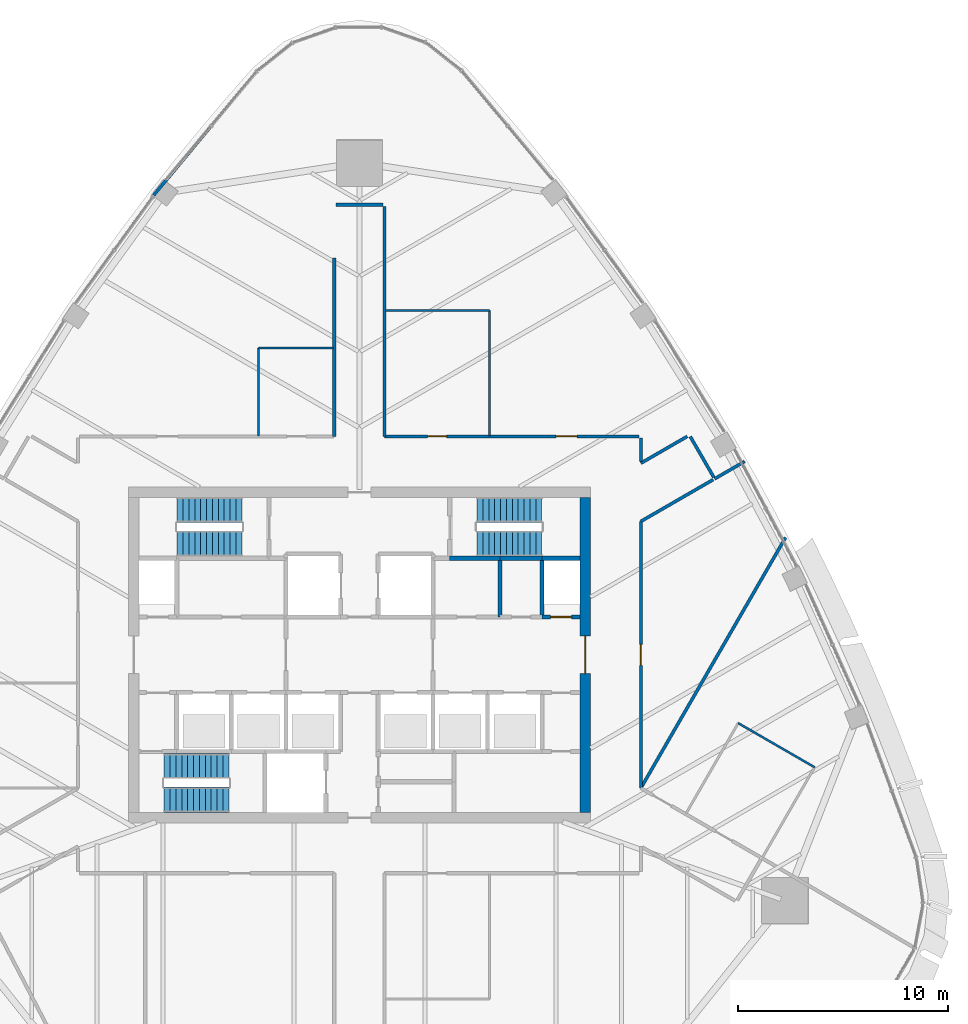
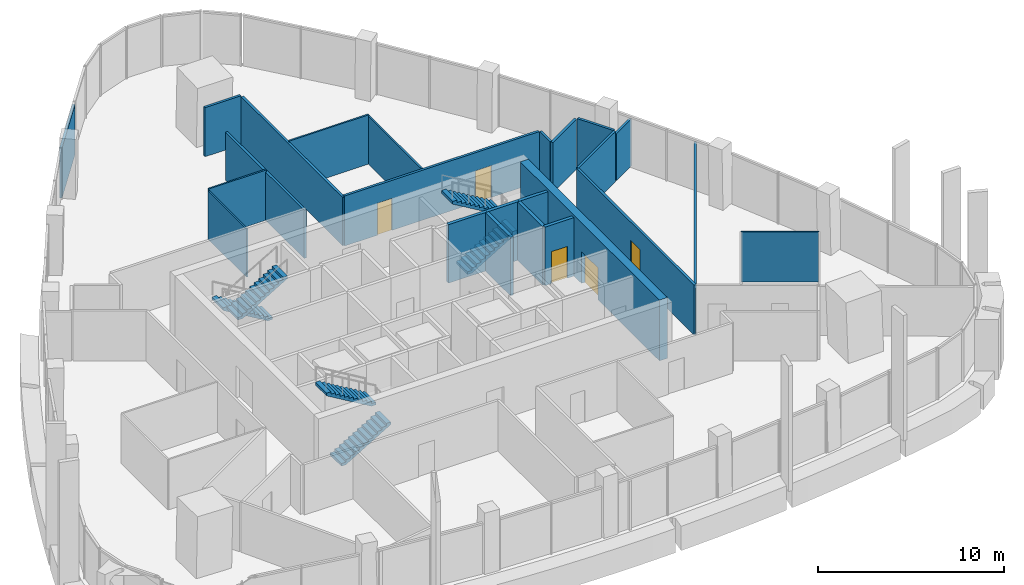
# One storey, part 11 of 16: 24 walls, 6 stair flights, 5 doors, 5 openings, 3 elements without a shape of their own.
"""IFC4 building model written with IfcOpenShell, lengths in metres."""

from ifc_helpers import new_model, si_unit, direction, frame, frame_2d, origin, place, context, subcontext, project, spatial, polyline, rectangle, outline, extrude, material, layer, layer_set, type_object, element, fill, aggregate, save


model = new_model("IFC4")

# Units and contexts
model_context = context("Model", 3, precision=1e-05, world=origin(), true_north=direction((0.0, 1.0)))
body_context = subcontext(model_context, "Body", "Model", "MODEL_VIEW")
ifc_project = project(units=[si_unit("LENGTHUNIT", "METRE"), si_unit("AREAUNIT", "SQUARE_METRE"), si_unit("VOLUMEUNIT", "CUBIC_METRE"), si_unit("PLANEANGLEUNIT", "RADIAN"), si_unit("MASSUNIT", "GRAM", prefix="KILO")], contexts=[model_context])

# Site, building, storey
site_placement = place(None, origin())
site = spatial("IfcSite", under=ifc_project, at=site_placement, CompositionType="ELEMENT")
building_placement = place(site_placement, origin())
building = spatial("IfcBuilding", under=site, at=building_placement, Name="Sierra Prisma Convention Tower", CompositionType="ELEMENT")
storey_placement = place(building_placement, frame((0.0, 0.0, 303.0)))
storey = spatial("IfcBuildingStorey", under=building, at=storey_placement, Name="L69", CompositionType="ELEMENT", Elevation=303.0)

# Walls
ifc_material_1 = material(Name="Gypsum board partition", Category="gypsum")
ifc_layer_1 = layer(ifc_material_1, 0.10009765625)
ifc_layer_set_1 = layer_set([ifc_layer_1], Name="Bathroom partition 100")
wall_type_1 = type_object("IfcWallType", Name="Bathroom partition 100", PredefinedType="PARTITIONING", material=ifc_layer_set_1)
wall_1_placement = place(storey_placement, frame((-4.800048828125, 10.429931640625, 0.0), z_axis=(0.0, 0.0, 1.0), x_axis=(0.0, 1.0, 0.0)))
element("IfcWall", 1, at=wall_1_placement, inside=storey, type_object=wall_type_1, Name="Partition L69 bath 4", PredefinedType="PARTITIONING", context=body_context, shape_type="SweptSolid", body=[
    extrude(rectangle(XDim=4.170166015625, YDim=0.10009765625, at=frame_2d((2.0849609375, 0.0))), origin(), (0.0, 0.0, 1.0), 3.1669921875),
])
wall_2_placement = place(storey_placement, frame((-4.800048828125, 14.60009765625, 0.0), z_axis=(0.0, 0.0, 1.0), x_axis=(1.0, 0.0, 0.0)))
element("IfcWall", 2, at=wall_2_placement, inside=storey, type_object=wall_type_1, Name="Partition L69 bath 5", PredefinedType="PARTITIONING", context=body_context, shape_type="SweptSolid", body=[
    extrude(rectangle(XDim=3.570068359375, YDim=0.10009765625, at=frame_2d((1.78515625, 0.0))), origin(), (0.0, 0.0, 1.0), 3.300048828125),
])
wall_3_placement = place(storey_placement, frame((1.22998046875, 16.39990234375, 0.0), z_axis=(0.0, 0.0, 1.0), x_axis=(1.0, 0.0, 0.0)))
element("IfcWall", 3, at=wall_3_placement, inside=storey, type_object=wall_type_1, Name="Partition L69 bath 8", PredefinedType="PARTITIONING", context=body_context, shape_type="SweptSolid", body=[
    extrude(rectangle(XDim=4.969970703125, YDim=0.10009765625, at=frame_2d((2.48486328125, 0.0))), origin(), (0.0, 0.0, 1.0), 3.242919921875),
])
wall_4_placement = place(storey_placement, frame((6.199951171875, 16.39990234375, 0.0), z_axis=(0.0, 0.0, 1.0), x_axis=(0.0, -1.0, 0.0)))
element("IfcWall", 4, at=wall_4_placement, inside=storey, type_object=wall_type_1, Name="Partition L69 bath 9", PredefinedType="PARTITIONING", context=body_context, shape_type="SweptSolid", body=[
    extrude(rectangle(XDim=5.969970703125, YDim=0.10009765625, at=frame_2d((2.98486328125, 0.0))), origin(), (0.0, 0.0, 1.0), 3.1669921875),
])
wall_5_placement = place(storey_placement, frame((18.037109375, -3.254638671875, 0.0), z_axis=(0.0, 0.0, 1.0), x_axis=(0.866034573852, -0.49998411664, 0.0)))
element("IfcWall", 5, at=wall_5_placement, inside=storey, type_object=wall_type_1, Name="Partition L69 bath 11", PredefinedType="PARTITIONING", context=body_context, shape_type="SweptSolid", body=[
    extrude(rectangle(XDim=4.199951171875, YDim=0.10009765625, at=frame_2d((2.10009765625, 0.0))), origin(), (0.0, 0.0, 1.0), 3.300048828125),
])
ifc_material_2 = material(Name="Concrete C30/37", Category="concrete")
ifc_layer_2 = layer(ifc_material_2, 0.199951171875)
ifc_layer_set_2 = layer_set([ifc_layer_2], Name="Core wall RC 200 C30/37")
wall_type_2 = type_object("IfcWallType", Name="Core wall RC 200 C30/37", PredefinedType="SOLIDWALL", material=ifc_layer_set_2)
wall_6_placement = place(storey_placement, frame((6.699951171875, 4.60009765625, 0.0), z_axis=(0.0, 0.0, 1.0), x_axis=(-1.0, 0.0, 0.0)))
element("IfcWall", 6, at=wall_6_placement, inside=storey, type_object=wall_type_2, Name="Core wall L69 49", PredefinedType="SOLIDWALL", context=body_context, shape_type="SweptSolid", body=[
    extrude(rectangle(XDim=2.39990234375, YDim=0.199951171875, at=frame_2d((1.199951171875, 0.0))), origin(), (0.0, 0.0, 1.0), 3.85009765625),
])
wall_7_placement = place(storey_placement, frame((6.699951171875, 1.800048828125, 0.0), z_axis=(0.0, 0.0, 1.0), x_axis=(0.0, 1.0, 0.0)))
element("IfcWall", 7, at=wall_7_placement, inside=storey, type_object=wall_type_2, Name="Core wall L69 58", PredefinedType="SOLIDWALL", context=body_context, shape_type="SweptSolid", body=[
    extrude(rectangle(XDim=2.800048828125, YDim=0.199951171875, at=frame_2d((1.39990234375, 0.0))), origin(), (0.0, 0.0, 1.0), 3.85009765625),
])
wall_8_placement = place(storey_placement, frame((8.699951171875, 4.60009765625, 0.0), z_axis=(0.0, 0.0, 1.0), x_axis=(-1.0, 0.0, 0.0)))
element("IfcWall", 8, at=wall_8_placement, inside=storey, type_object=wall_type_2, Name="Core wall L69 59", PredefinedType="SOLIDWALL", context=body_context, shape_type="SweptSolid", body=[
    extrude(rectangle(XDim=2.0, YDim=0.199951171875, at=frame_2d((1.0, 0.0))), origin(), (0.0, 0.0, 1.0), 3.85009765625),
])

# Wall, opening, door
wall_9_placement = place(storey_placement, frame((10.5, 1.800048828125, 0.0), z_axis=(0.0, 0.0, 1.0), x_axis=(-1.0, 0.0, 0.0)))
wall_9 = element("IfcWall", 9, at=wall_9_placement, inside=storey, type_object=wall_type_2, Name="Core wall L69 63", PredefinedType="SOLIDWALL", context=body_context, shape_type="SweptSolid", body=[
    extrude(rectangle(XDim=1.800048828125, YDim=0.199951171875, at=frame_2d((0.89990234375, 0.0))), origin(), (0.0, 0.0, 1.0), 3.85009765625),
])
opening_1_placement = place(wall_9_placement, frame((0.39990234375, 0.0, 0.0)))
opening_1 = element("IfcOpeningElement", 10, at=opening_1_placement, cuts=wall_9, Name="Opening L69-D016", PredefinedType="OPENING", context=body_context, shape_type="SweptSolid", body=[
    extrude(rectangle(XDim=1.0, YDim=2.10009765625, at=frame_2d((0.5, 1.050048828125))), frame((0.0, 0.10009765625, 0.0), z_axis=(0.0, -1.0, 0.0), x_axis=(1.0, 0.0, 0.0)), (0.0, 0.0, 1.0), 0.199951171875),
])
ifc_material_3 = material(Name="Steel fire door leaf", Category="steel")
door_type_1 = type_object("IfcDoorType", Name="Door 1000x2100 FD60S", OperationType="SINGLE_SWING_LEFT", PredefinedType="DOOR", material=ifc_material_3)
door_1_placement = place(opening_1_placement, origin())
door_1 = element("IfcDoor", 11, at=door_1_placement, inside=storey, type_object=door_type_1, Name="Door L69 29", OperationType="SINGLE_SWING_LEFT", OverallHeight=2.10009765625, OverallWidth=1.0, PredefinedType="DOOR", context=body_context, shape_type="SweptSolid", body=[
    extrude(rectangle(XDim=1.0, YDim=2.10009765625, at=frame_2d((0.5, 1.050048828125))), frame((0.0, 0.02490234375, 0.0), z_axis=(0.0, -1.0, 0.0), x_axis=(1.0, 0.0, 0.0)), (0.0, 0.0, 1.0), 0.050048828125),
])
fill(opening_1, door_1)

# Walls
wall_10_placement = place(storey_placement, frame((8.699951171875, 1.800048828125, 0.0), z_axis=(0.0, 0.0, 1.0), x_axis=(0.0, 1.0, 0.0)))
element("IfcWall", 12, at=wall_10_placement, inside=storey, type_object=wall_type_2, Name="Core wall L69 64", PredefinedType="SOLIDWALL", context=body_context, shape_type="SweptSolid", body=[
    extrude(rectangle(XDim=2.800048828125, YDim=0.199951171875, at=frame_2d((1.39990234375, 0.0))), origin(), (0.0, 0.0, 1.0), 3.85009765625),
])
wall_11_placement = place(storey_placement, frame((10.5, 4.60009765625, 0.0), z_axis=(0.0, 0.0, 1.0), x_axis=(-1.0, 0.0, 0.0)))
element("IfcWall", 13, at=wall_11_placement, inside=storey, type_object=wall_type_2, Name="Core wall L69 65", PredefinedType="SOLIDWALL", context=body_context, shape_type="SweptSolid", body=[
    extrude(rectangle(XDim=1.800048828125, YDim=0.199951171875, at=frame_2d((0.89990234375, 0.0))), origin(), (0.0, 0.0, 1.0), 3.85009765625),
])

# Wall, opening, door
ifc_material_4 = material(Name="Concrete C50/60", Category="concrete")
ifc_layer_3 = layer(ifc_material_4, 0.5)
ifc_layer_set_3 = layer_set([ifc_layer_3], Name="Core wall RC 500 C50/60")
wall_type_3 = type_object("IfcWallType", Name="Core wall RC 500 C50/60", PredefinedType="SHEAR", material=ifc_layer_set_3)
wall_12_placement = place(storey_placement, frame((10.75, -7.5, 0.0), z_axis=(0.0, 0.0, 1.0), x_axis=(0.0, 1.0, 0.0)))
wall_12 = element("IfcWall", 14, at=wall_12_placement, inside=storey, type_object=wall_type_3, Name="Core wall E L69", PredefinedType="SHEAR", context=body_context, shape_type="SweptSolid", body=[
    extrude(rectangle(XDim=15.0, YDim=0.5, at=frame_2d((7.5, 0.0))), origin(), (0.0, 0.0, 1.0), 4.0),
])
opening_2_placement = place(wall_12_placement, frame((6.60009765625, 0.0, 0.0)))
opening_2 = element("IfcOpeningElement", 15, at=opening_2_placement, cuts=wall_12, Name="Opening L69-D040", PredefinedType="OPENING", context=body_context, shape_type="SweptSolid", body=[
    extrude(rectangle(XDim=1.800048828125, YDim=2.10009765625, at=frame_2d((0.89990234375, 1.050048828125))), frame((0.0, 0.25, 0.0), z_axis=(0.0, -1.0, 0.0), x_axis=(1.0, 0.0, 0.0)), (0.0, 0.0, 1.0), 0.5),
])
ifc_material_5 = material(Name="Steel fire door leaf", Category="steel")
door_type_2 = type_object("IfcDoorType", Name="Door 1800x2100 FD60S", OperationType="DOUBLE_DOOR_SINGLE_SWING", PredefinedType="DOOR", material=ifc_material_5)
door_2_placement = place(opening_2_placement, origin())
door_2 = element("IfcDoor", 16, at=door_2_placement, inside=storey, type_object=door_type_2, Name="Door L69 41", OperationType="DOUBLE_DOOR_SINGLE_SWING", OverallHeight=2.10009765625, OverallWidth=1.800048828125, PredefinedType="DOOR", context=body_context, shape_type="SweptSolid", body=[
    extrude(rectangle(XDim=1.800048828125, YDim=2.10009765625, at=frame_2d((0.89990234375, 1.050048828125))), frame((0.0, 0.02490234375, 0.0), z_axis=(0.0, -1.0, 0.0), x_axis=(1.0, 0.0, 0.0)), (0.0, 0.0, 1.0), 0.050048828125),
])
fill(opening_2, door_2)

# Walls
ifc_material_6 = material(Name="Gypsum board partition", Category="gypsum")
ifc_layer_4 = layer(ifc_material_6, 0.14990234375)
ifc_layer_set_4 = layer_set([ifc_layer_4], Name="Corridor wall 150 gypsum EI 60")
wall_type_4 = type_object("IfcWallType", Name="Corridor wall 150 gypsum EI 60", PredefinedType="PARTITIONING", material=ifc_layer_set_4)
wall_13_placement = place(storey_placement, frame((-1.199951171875, 18.89990234375, 0.0), z_axis=(0.0, 0.0, 1.0), x_axis=(0.0, -1.0, 0.0)))
element("IfcWall", 17, at=wall_13_placement, inside=storey, type_object=wall_type_4, Name="Partition L69 corr 12", PredefinedType="PARTITIONING", context=body_context, shape_type="SweptSolid", body=[
    extrude(rectangle(XDim=8.5, YDim=0.14990234375, at=frame_2d((4.25, 0.0))), origin(), (0.0, 0.0, 1.0), 3.1669921875),
])
wall_14_placement = place(storey_placement, frame((1.1201171875, 21.427978515625, 0.0), z_axis=(0.0, 0.0, 1.0), x_axis=(-1.0, 0.0, 0.0)))
element("IfcWall", 18, at=wall_14_placement, inside=storey, type_object=wall_type_4, Name="Partition L69 corr 15", PredefinedType="PARTITIONING", context=body_context, shape_type="SweptSolid", body=[
    extrude(rectangle(XDim=2.240234375, YDim=0.14990234375, at=frame_2d((1.1201171875, 0.0))), origin(), (0.0, 0.0, 1.0), 3.23291015625),
])

# Wall, openings, doors
wall_15_placement = place(storey_placement, frame((13.320068359375, 10.39990234375, 0.0), z_axis=(0.0, 0.0, 1.0), x_axis=(-1.0, 0.0, 0.0)))
wall_15 = element("IfcWall", 19, at=wall_15_placement, inside=storey, type_object=wall_type_4, Name="Partition L69 corr 18", PredefinedType="PARTITIONING", context=body_context, shape_type="SweptSolid", body=[
    extrude(rectangle(XDim=12.1201171875, YDim=0.14990234375, at=frame_2d((6.06005859375, 0.0))), origin(), (0.0, 0.0, 1.0), 3.29296875),
])
opening_3_placement = place(wall_15_placement, frame((9.169921875, 0.0, 0.0)))
opening_3 = element("IfcOpeningElement", 20, at=opening_3_placement, cuts=wall_15, Name="Opening L69-D028", PredefinedType="OPENING", context=body_context, shape_type="SweptSolid", body=[
    extrude(rectangle(XDim=0.89990234375, YDim=2.10009765625, at=frame_2d((0.449951171875, 1.050048828125))), frame((0.0, 0.074951171875, 0.0), z_axis=(0.0, -1.0, 0.0), x_axis=(1.0, 0.0, 0.0)), (0.0, 0.0, 1.0), 0.14990234375),
])
opening_4_placement = place(wall_15_placement, frame((2.969970703125, 0.0, 0.0)))
opening_4 = element("IfcOpeningElement", 21, at=opening_4_placement, cuts=wall_15, Name="Opening L69-D029", PredefinedType="OPENING", context=body_context, shape_type="SweptSolid", body=[
    extrude(rectangle(XDim=1.0, YDim=2.10009765625, at=frame_2d((0.5, 1.050048828125))), frame((0.0, 0.074951171875, 0.0), z_axis=(0.0, -1.0, 0.0), x_axis=(1.0, 0.0, 0.0)), (0.0, 0.0, 1.0), 0.14990234375),
])
ifc_material_7 = material(Name="Steel fire door leaf", Category="steel")
door_type_3 = type_object("IfcDoorType", Name="Door 1000x2100 FD30S", OperationType="SINGLE_SWING_LEFT", PredefinedType="DOOR", material=ifc_material_7)
door_3_placement = place(opening_4_placement, origin())
door_3 = element("IfcDoor", 22, at=door_3_placement, inside=storey, type_object=door_type_3, Name="Door L69 3", OperationType="SINGLE_SWING_RIGHT", OverallHeight=2.10009765625, OverallWidth=1.0, PredefinedType="DOOR", context=body_context, shape_type="SweptSolid", body=[
    extrude(rectangle(XDim=1.0, YDim=2.10009765625, at=frame_2d((0.5, 1.050048828125))), frame((0.0, 0.02490234375, 0.0), z_axis=(0.0, -1.0, 0.0), x_axis=(1.0, 0.0, 0.0)), (0.0, 0.0, 1.0), 0.050048828125),
])
fill(opening_4, door_3)
ifc_material_8 = material(Name="Steel fire door leaf", Category="steel")
door_type_4 = type_object("IfcDoorType", Name="Door 900x2100 FD30S", OperationType="SINGLE_SWING_LEFT", PredefinedType="DOOR", material=ifc_material_8)
door_4_placement = place(opening_3_placement, origin())
door_4 = element("IfcDoor", 23, at=door_4_placement, inside=storey, type_object=door_type_4, Name="Door L69 2", OperationType="SINGLE_SWING_RIGHT", OverallHeight=2.10009765625, OverallWidth=0.89990234375, PredefinedType="DOOR", context=body_context, shape_type="SweptSolid", body=[
    extrude(rectangle(XDim=0.89990234375, YDim=2.10009765625, at=frame_2d((0.449951171875, 1.050048828125))), frame((0.0, 0.02490234375, 0.0), z_axis=(0.0, -1.0, 0.0), x_axis=(1.0, 0.0, 0.0)), (0.0, 0.0, 1.0), 0.050048828125),
])
fill(opening_3, door_4)

# Wall
wall_16_placement = place(storey_placement, frame((1.199951171875, 10.39990234375, 0.0), z_axis=(0.0, 0.0, 1.0), x_axis=(0.0, 1.0, 0.0)))
element("IfcWall", 24, at=wall_16_placement, inside=storey, type_object=wall_type_4, Name="Partition L69 corr 19", PredefinedType="PARTITIONING", context=body_context, shape_type="SweptSolid", body=[
    extrude(rectangle(XDim=10.947998046875, YDim=0.14990234375, at=frame_2d((5.47412109375, 0.0))), origin(), (0.0, 0.0, 1.0), 3.1669921875),
])

# Wall, opening, door
wall_17_placement = place(storey_placement, frame((13.39990234375, -6.350830078125, 0.0), z_axis=(0.0, 0.0, 1.0), x_axis=(0.0, 1.0, 0.0)))
wall_17 = element("IfcWall", 25, at=wall_17_placement, inside=storey, type_object=wall_type_4, Name="Partition L69 corr 22", PredefinedType="PARTITIONING", context=body_context, shape_type="SweptSolid", body=[
    extrude(rectangle(XDim=12.70166015625, YDim=0.14990234375, at=frame_2d((6.350830078125, 0.0))), origin(), (0.0, 0.0, 1.0), 3.29296875),
])
opening_5_placement = place(wall_17_placement, frame((5.850830078125, 0.0, 0.0)))
opening_5 = element("IfcOpeningElement", 26, at=opening_5_placement, cuts=wall_17, Name="Opening L69-D027", PredefinedType="OPENING", context=body_context, shape_type="SweptSolid", body=[
    extrude(rectangle(XDim=1.0, YDim=2.10009765625, at=frame_2d((0.5, 1.050048828125))), frame((0.0, 0.074951171875, 0.0), z_axis=(0.0, -1.0, 0.0), x_axis=(1.0, 0.0, 0.0)), (0.0, 0.0, 1.0), 0.14990234375),
])
door_5_placement = place(opening_5_placement, origin())
door_5 = element("IfcDoor", 27, at=door_5_placement, inside=storey, type_object=door_type_3, Name="Door L69 1", OperationType="SINGLE_SWING_RIGHT", OverallHeight=2.10009765625, OverallWidth=1.0, PredefinedType="DOOR", context=body_context, shape_type="SweptSolid", body=[
    extrude(rectangle(XDim=1.0, YDim=2.10009765625, at=frame_2d((0.5, 1.050048828125))), frame((0.0, 0.02490234375, 0.0), z_axis=(0.0, -1.0, 0.0), x_axis=(1.0, 0.0, 0.0)), (0.0, 0.0, 1.0), 0.050048828125),
])
fill(opening_5, door_5)

# Walls
wall_18_placement = place(storey_placement, frame((13.39990234375, 6.350830078125, 0.0), z_axis=(0.0, 0.0, 1.0), x_axis=(0.866026229868, 0.499998569178, 0.0)))
element("IfcWall", 28, at=wall_18_placement, inside=storey, type_object=wall_type_4, Name="Partition L69 corr 23", PredefinedType="PARTITIONING", context=body_context, shape_type="SweptSolid", body=[
    extrude(rectangle(XDim=3.97998046875, YDim=0.14990234375, at=frame_2d((1.989990234375, 0.0))), origin(), (0.0, 0.0, 1.0), 3.300048828125),
])
wall_19_placement = place(storey_placement, frame((15.61328125, 10.39990234375, 0.0), z_axis=(0.0, 0.0, 1.0), x_axis=(-0.866036056452, -0.499981548585, 0.0)))
element("IfcWall", 29, at=wall_19_placement, inside=storey, type_object=wall_type_4, Name="Partition L69 corr 25", PredefinedType="PARTITIONING", context=body_context, shape_type="SweptSolid", body=[
    extrude(rectangle(XDim=2.5556640625, YDim=0.14990234375, at=frame_2d((1.27783203125, 0.0))), origin(), (0.0, 0.0, 1.0), 3.300048828125),
])
wall_20_placement = place(storey_placement, frame((13.39990234375, 9.213623046875, 0.0), z_axis=(0.0, 0.0, 1.0), x_axis=(0.0, 1.0, 0.0)))
element("IfcWall", 30, at=wall_20_placement, inside=storey, type_object=wall_type_4, Name="Partition L69 corr 26", PredefinedType="PARTITIONING", context=body_context, shape_type="SweptSolid", body=[
    extrude(rectangle(XDim=1.1064453125, YDim=0.14990234375, at=frame_2d((0.55322265625, 0.0))), origin(), (0.0, 0.0, 1.0), 3.300048828125),
])
wall_21_placement = place(storey_placement, frame((16.8759765625, 8.4501953125, 0.0), z_axis=(0.0, 0.0, 1.0), x_axis=(-0.500077830873, 0.865980463445, 0.0)))
element("IfcWall", 31, at=wall_21_placement, inside=storey, type_object=wall_type_4, Name="Partition L69 corr 27", PredefinedType="PARTITIONING", context=body_context, shape_type="SweptSolid", body=[
    extrude(rectangle(XDim=2.239990234375, YDim=0.14990234375, at=frame_2d((1.1201171875, 0.0))), origin(), (0.0, 0.0, 1.0), 3.300048828125),
])
ifc_material_9 = material(Name="Gypsum board partition", Category="gypsum")
ifc_layer_5 = layer(ifc_material_9, 0.14990234375)
ifc_layer_set_5 = layer_set([ifc_layer_5], Name="Party wall 150 gypsum")
wall_type_5 = type_object("IfcWallType", Name="Party wall 150 gypsum", PredefinedType="PARTITIONING", material=ifc_layer_set_5)
wall_22_placement = place(storey_placement, frame((-9.794921875, 21.8837890625, 0.0), z_axis=(0.0, 0.0, 1.0), x_axis=(0.638426915848, 0.769682449534, 0.0)))
element("IfcWall", 32, at=wall_22_placement, inside=storey, type_object=wall_type_5, Name="Partition L69 party 6", PredefinedType="PARTITIONING", context=body_context, shape_type="SweptSolid", body=[
    extrude(rectangle(XDim=4.18505859375, YDim=0.14990234375, at=frame_2d((2.092529296875, 0.0))), origin(), (0.0, 0.0, 1.0), 3.300048828125),
])
wall_23_placement = place(storey_placement, frame((20.289306640625, 5.581787109375, 0.0), z_axis=(0.0, 0.0, 1.0), x_axis=(-0.500005690942, -0.866022118093, 0.0)))
element("IfcWall", 33, at=wall_23_placement, inside=storey, type_object=wall_type_5, Name="Partition L69 party 8", PredefinedType="PARTITIONING", context=body_context, shape_type="SweptSolid", body=[
    extrude(rectangle(XDim=13.778564453125, YDim=0.14990234375, at=frame_2d((6.88916015625, 0.0))), origin(), (0.0, 0.0, 1.0), 3.083984375),
])
wall_24_placement = place(storey_placement, frame((16.916015625, 8.380859375, 0.0), z_axis=(0.0, 0.0, 1.0), x_axis=(0.866047486323, 0.49996174997, 0.0)))
element("IfcWall", 34, at=wall_24_placement, inside=storey, type_object=wall_type_5, Name="Partition L69 party 9", PredefinedType="PARTITIONING", context=body_context, shape_type="SweptSolid", body=[
    extrude(rectangle(XDim=1.648681640625, YDim=0.14990234375, at=frame_2d((0.82421875, 0.0))), origin(), (0.0, 0.0, 1.0), 3.083984375),
])

# Stair, stair flights
ifc_material_10 = material(Name="Concrete C30/37", Category="concrete")
stair_type = type_object("IfcStairType", Name="Stair dog-leg 1200 RC", PredefinedType="HALF_TURN_STAIR", material=ifc_material_10)
stair_1_placement = place(storey_placement, origin())
stair_1 = element("IfcStair", 35, at=stair_1_placement, inside=storey, type_object=stair_type, Name="L69 S1", PredefinedType="HALF_TURN_STAIR")
ifc_material_11 = material(Name="Concrete C30/37", Category="concrete")
stair_flight_type = type_object("IfcStairFlightType", Name="Stair flight RC 1200", PredefinedType="STRAIGHT", material=ifc_material_11)
stair_flight_1_placement = place(storey_placement, frame((-9.300048828125, -6.89990234375, 0.0), z_axis=(0.0, 0.0, 1.0), x_axis=(1.0, 0.0, 0.0)))
stair_flight_1 = element("IfcStairFlight", 36, at=stair_flight_1_placement, type_object=stair_flight_type, Name="S1 flight 1", NumberOfRisers=12, NumberOfTreads=11, PredefinedType="STRAIGHT", RiserHeight=0.166666667, TreadLength=0.28, context=body_context, shape_type="SweptSolid", body=[
    extrude(outline(polyline([(0.0, 0.0), (0.0, 0.166748046875), (0.280029296875, 0.166748046875), (0.280029296875, 0.333251953125), (0.56005859375, 0.333251953125), (0.56005859375, 0.5), (0.840087890625, 0.5), (0.840087890625, 0.666748046875), (1.1201171875, 0.666748046875), (1.1201171875, 0.833251953125), (1.39990234375, 0.833251953125), (1.39990234375, 1.0), (1.679931640625, 1.0), (1.679931640625, 1.166748046875), (1.9599609375, 1.166748046875), (1.9599609375, 1.333251953125), (2.239990234375, 1.333251953125), (2.239990234375, 1.5), (2.52001953125, 1.5), (2.52001953125, 1.666748046875), (2.800048828125, 1.666748046875), (2.800048828125, 1.833251953125), (3.080078125, 1.833251953125), (3.080078125, 2.0), (3.080078125, 1.658935546875), (0.29296875, 0.0), (0.0, 0.0)])), frame((0.0, 0.60009765625, 0.0), z_axis=(0.0, -1.0, 0.0), x_axis=(1.0, 0.0, 0.0)), (0.0, 0.0, 1.0), 1.199951171875),
])
stair_flight_2_placement = place(storey_placement, frame((-6.219970703125, -5.300048828125, 2.0), z_axis=(0.0, 0.0, 1.0), x_axis=(-1.0, 0.0, 0.0)))
stair_flight_2 = element("IfcStairFlight", 37, at=stair_flight_2_placement, type_object=stair_flight_type, Name="S1 flight 2", NumberOfRisers=12, NumberOfTreads=11, PredefinedType="STRAIGHT", RiserHeight=0.166666667, TreadLength=0.28, context=body_context, shape_type="SweptSolid", body=[
    extrude(outline(polyline([(0.0, 0.0), (0.0, 0.166748046875), (0.280029296875, 0.166748046875), (0.280029296875, 0.333251953125), (0.56005859375, 0.333251953125), (0.56005859375, 0.5), (0.840087890625, 0.5), (0.840087890625, 0.666748046875), (1.1201171875, 0.666748046875), (1.1201171875, 0.833251953125), (1.39990234375, 0.833251953125), (1.39990234375, 1.0), (1.679931640625, 1.0), (1.679931640625, 1.166748046875), (1.9599609375, 1.166748046875), (1.9599609375, 1.333251953125), (2.239990234375, 1.333251953125), (2.239990234375, 1.5), (2.52001953125, 1.5), (2.52001953125, 1.666748046875), (2.800048828125, 1.666748046875), (2.800048828125, 1.833251953125), (3.080078125, 1.833251953125), (3.080078125, 2.0), (3.080078125, 1.658935546875), (0.29296875, 0.0), (0.0, 0.0)])), frame((0.0, 0.60009765625, 0.0), z_axis=(0.0, -1.0, 0.0), x_axis=(1.0, 0.0, 0.0)), (0.0, 0.0, 1.0), 1.199951171875),
])
aggregate(stair_1, [stair_flight_1, stair_flight_2])

stair_2_placement = place(storey_placement, origin())
stair_2 = element("IfcStair", 38, at=stair_2_placement, inside=storey, type_object=stair_type, Name="L69 S3", PredefinedType="HALF_TURN_STAIR")
stair_flight_3_placement = place(storey_placement, frame((-5.60009765625, 6.89990234375, 0.0), z_axis=(0.0, 0.0, 1.0), x_axis=(-1.0, 0.0, 0.0)))
stair_flight_3 = element("IfcStairFlight", 39, at=stair_flight_3_placement, type_object=stair_flight_type, Name="S3 flight 1", NumberOfRisers=12, NumberOfTreads=11, PredefinedType="STRAIGHT", RiserHeight=0.166666667, TreadLength=0.28, context=body_context, shape_type="SweptSolid", body=[
    extrude(outline(polyline([(0.0, 0.0), (0.0, 0.166748046875), (0.280029296875, 0.166748046875), (0.280029296875, 0.333251953125), (0.56005859375, 0.333251953125), (0.56005859375, 0.5), (0.840087890625, 0.5), (0.840087890625, 0.666748046875), (1.1201171875, 0.666748046875), (1.1201171875, 0.833251953125), (1.39990234375, 0.833251953125), (1.39990234375, 1.0), (1.679931640625, 1.0), (1.679931640625, 1.166748046875), (1.9599609375, 1.166748046875), (1.9599609375, 1.333251953125), (2.239990234375, 1.333251953125), (2.239990234375, 1.5), (2.52001953125, 1.5), (2.52001953125, 1.666748046875), (2.800048828125, 1.666748046875), (2.800048828125, 1.833251953125), (3.080078125, 1.833251953125), (3.080078125, 2.0), (3.080078125, 1.658935546875), (0.29296875, 0.0), (0.0, 0.0)])), frame((0.0, 0.60009765625, 0.0), z_axis=(0.0, -1.0, 0.0), x_axis=(1.0, 0.0, 0.0)), (0.0, 0.0, 1.0), 1.199951171875),
])
stair_flight_4_placement = place(storey_placement, frame((-8.679931640625, 5.300048828125, 2.0), z_axis=(0.0, 0.0, 1.0), x_axis=(1.0, 0.0, 0.0)))
stair_flight_4 = element("IfcStairFlight", 40, at=stair_flight_4_placement, type_object=stair_flight_type, Name="S3 flight 2", NumberOfRisers=12, NumberOfTreads=11, PredefinedType="STRAIGHT", RiserHeight=0.166666667, TreadLength=0.28, context=body_context, shape_type="SweptSolid", body=[
    extrude(outline(polyline([(0.0, 0.0), (0.0, 0.166748046875), (0.280029296875, 0.166748046875), (0.280029296875, 0.333251953125), (0.56005859375, 0.333251953125), (0.56005859375, 0.5), (0.840087890625, 0.5), (0.840087890625, 0.666748046875), (1.1201171875, 0.666748046875), (1.1201171875, 0.833251953125), (1.39990234375, 0.833251953125), (1.39990234375, 1.0), (1.679931640625, 1.0), (1.679931640625, 1.166748046875), (1.9599609375, 1.166748046875), (1.9599609375, 1.333251953125), (2.239990234375, 1.333251953125), (2.239990234375, 1.5), (2.52001953125, 1.5), (2.52001953125, 1.666748046875), (2.800048828125, 1.666748046875), (2.800048828125, 1.833251953125), (3.080078125, 1.833251953125), (3.080078125, 2.0), (3.080078125, 1.658935546875), (0.29296875, 0.0), (0.0, 0.0)])), frame((0.0, 0.60009765625, 0.0), z_axis=(0.0, -1.0, 0.0), x_axis=(1.0, 0.0, 0.0)), (0.0, 0.0, 1.0), 1.199951171875),
])
aggregate(stair_2, [stair_flight_3, stair_flight_4])

stair_3_placement = place(storey_placement, origin())
stair_3 = element("IfcStair", 41, at=stair_3_placement, inside=storey, type_object=stair_type, Name="L69 S4", PredefinedType="HALF_TURN_STAIR")
stair_flight_5_placement = place(storey_placement, frame((5.60009765625, 5.300048828125, 0.0), z_axis=(0.0, 0.0, 1.0), x_axis=(1.0, 0.0, 0.0)))
stair_flight_5 = element("IfcStairFlight", 42, at=stair_flight_5_placement, type_object=stair_flight_type, Name="S4 flight 1", NumberOfRisers=12, NumberOfTreads=11, PredefinedType="STRAIGHT", RiserHeight=0.166666667, TreadLength=0.28, context=body_context, shape_type="SweptSolid", body=[
    extrude(outline(polyline([(0.0, 0.0), (0.0, 0.166748046875), (0.280029296875, 0.166748046875), (0.280029296875, 0.333251953125), (0.56005859375, 0.333251953125), (0.56005859375, 0.5), (0.840087890625, 0.5), (0.840087890625, 0.666748046875), (1.1201171875, 0.666748046875), (1.1201171875, 0.833251953125), (1.39990234375, 0.833251953125), (1.39990234375, 1.0), (1.679931640625, 1.0), (1.679931640625, 1.166748046875), (1.9599609375, 1.166748046875), (1.9599609375, 1.333251953125), (2.239990234375, 1.333251953125), (2.239990234375, 1.5), (2.52001953125, 1.5), (2.52001953125, 1.666748046875), (2.800048828125, 1.666748046875), (2.800048828125, 1.833251953125), (3.080078125, 1.833251953125), (3.080078125, 2.0), (3.080078125, 1.658935546875), (0.29296875, 0.0), (0.0, 0.0)])), frame((0.0, 0.60009765625, 0.0), z_axis=(0.0, -1.0, 0.0), x_axis=(1.0, 0.0, 0.0)), (0.0, 0.0, 1.0), 1.199951171875),
])
stair_flight_6_placement = place(storey_placement, frame((8.679931640625, 6.89990234375, 2.0), z_axis=(0.0, 0.0, 1.0), x_axis=(-1.0, 0.0, 0.0)))
stair_flight_6 = element("IfcStairFlight", 43, at=stair_flight_6_placement, type_object=stair_flight_type, Name="S4 flight 2", NumberOfRisers=12, NumberOfTreads=11, PredefinedType="STRAIGHT", RiserHeight=0.166666667, TreadLength=0.28, context=body_context, shape_type="SweptSolid", body=[
    extrude(outline(polyline([(0.0, 0.0), (0.0, 0.166748046875), (0.280029296875, 0.166748046875), (0.280029296875, 0.333251953125), (0.56005859375, 0.333251953125), (0.56005859375, 0.5), (0.840087890625, 0.5), (0.840087890625, 0.666748046875), (1.1201171875, 0.666748046875), (1.1201171875, 0.833251953125), (1.39990234375, 0.833251953125), (1.39990234375, 1.0), (1.679931640625, 1.0), (1.679931640625, 1.166748046875), (1.9599609375, 1.166748046875), (1.9599609375, 1.333251953125), (2.239990234375, 1.333251953125), (2.239990234375, 1.5), (2.52001953125, 1.5), (2.52001953125, 1.666748046875), (2.800048828125, 1.666748046875), (2.800048828125, 1.833251953125), (3.080078125, 1.833251953125), (3.080078125, 2.0), (3.080078125, 1.658935546875), (0.29296875, 0.0), (0.0, 0.0)])), frame((0.0, 0.60009765625, 0.0), z_axis=(0.0, -1.0, 0.0), x_axis=(1.0, 0.0, 0.0)), (0.0, 0.0, 1.0), 1.199951171875),
])
aggregate(stair_3, [stair_flight_5, stair_flight_6])

save(model, "model.ifc")
